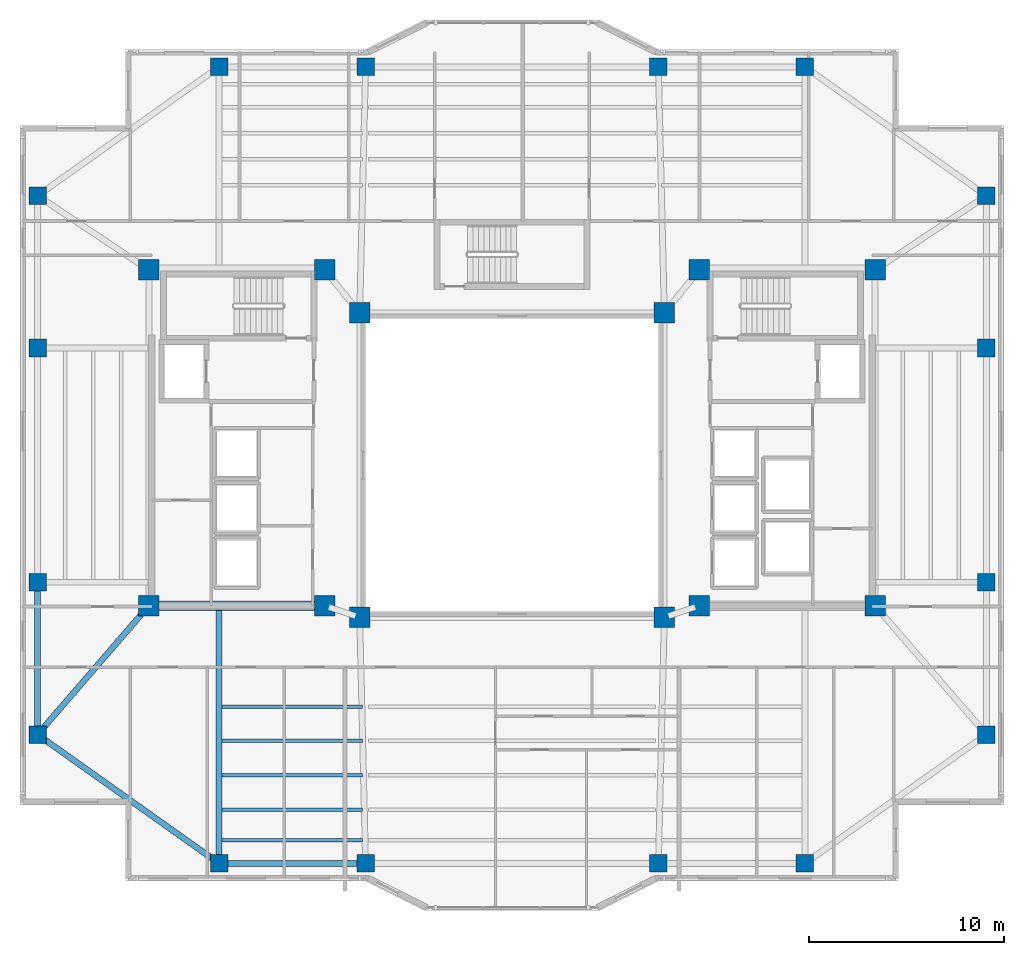
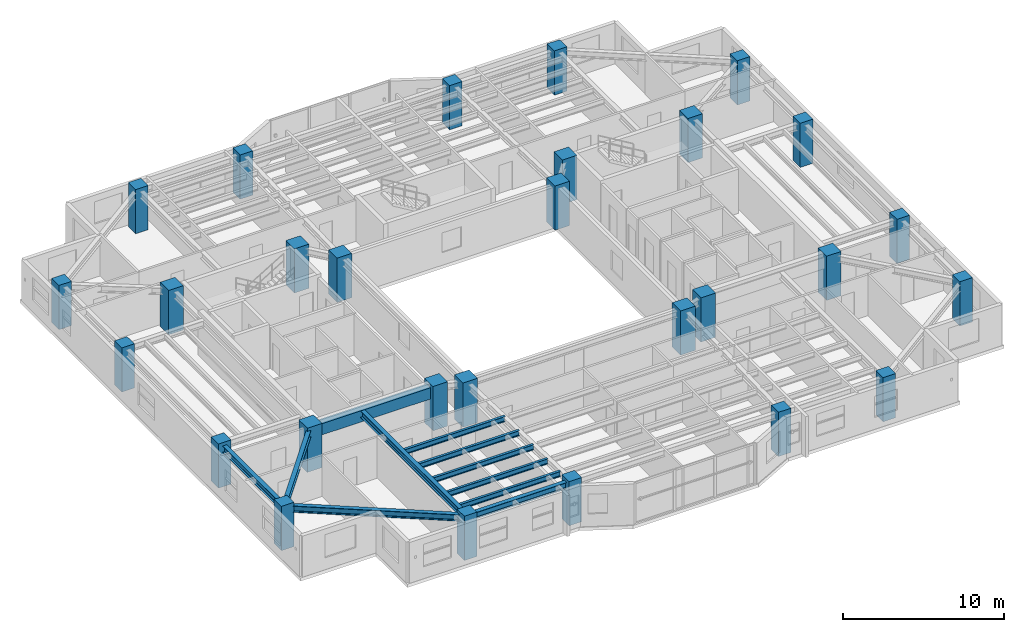
# One storey, part 1 of 15: 28 columns, 11 beams.
"""IFC4 building model written with IfcOpenShell, lengths in metres."""

from ifc_helpers import new_model, si_unit, direction, frame, origin, origin_2d, place, context, subcontext, project, spatial, rectangle, i_section, extrude, material, material_profile, profile_set, type_object, element, save


model = new_model("IFC4")

# Units and contexts
model_context = context("Model", 3, precision=1e-05, world=origin(), true_north=direction((0.0, 1.0)))
body_context = subcontext(model_context, "Body", "Model", "MODEL_VIEW")
ifc_project = project(units=[si_unit("LENGTHUNIT", "METRE"), si_unit("AREAUNIT", "SQUARE_METRE"), si_unit("VOLUMEUNIT", "CUBIC_METRE"), si_unit("PLANEANGLEUNIT", "RADIAN"), si_unit("MASSUNIT", "GRAM", prefix="KILO")], contexts=[model_context])

# Site, building, storey
site_placement = place(None, origin())
site = spatial("IfcSite", under=ifc_project, at=site_placement, CompositionType="ELEMENT")
building_placement = place(site_placement, origin())
building = spatial("IfcBuilding", under=site, at=building_placement, Name="Tarnavaz Court Tower", CompositionType="ELEMENT")
storey_placement = place(building_placement, frame((0.0, 0.0, 142.64990234375)))
storey = spatial("IfcBuildingStorey", under=building, at=storey_placement, Name="L38", CompositionType="ELEMENT", Elevation=142.64990234375)

# Columns
ifc_material_1 = material(Name="Concrete C60/75", Category="concrete")
ifc_material_profile_1 = material_profile(ifc_material_1, rectangle(XDim=1.050048828125, YDim=1.050048828125, at=origin_2d()), Name="RC 1050X1050")
ifc_profile_set_1 = profile_set([ifc_material_profile_1], Name="Concrete C60/75")
column_type_1 = type_object("IfcColumnType", Name="CL-RC1050", PredefinedType="COLUMN", material=ifc_profile_set_1)
for number, where, z_axis, x_axis, name in (
    (1, (-7.800048828125, -7.800048828125, 0.0), (0.0, 0.0, 1.0), (1.0, 0.0, 0.0), "L38 Column IW-SW"),
    (2, (7.800048828125, -7.800048828125, 0.0), (0.0, 0.0, 1.0), (1.0, 0.0, 0.0), "L38 Column IW-SE"),
    (3, (-7.800048828125, 7.800048828125, 0.0), (0.0, 0.0, 1.0), (1.0, 0.0, 0.0), "L38 Column IW-NW"),
    (4, (7.800048828125, 7.800048828125, 0.0), (0.0, 0.0, 1.0), (1.0, 0.0, 0.0), "L38 Column IW-NE"),
    (5, (-9.60009765625, -7.199951171875, 0.0), (0.0, 0.0, 1.0), (1.0, 0.0, 0.0), "L38 Column CW-SI"),
    (6, (-9.60009765625, 10.0, 0.0), (0.0, 0.0, 1.0), (1.0, 0.0, 0.0), "L38 Column CW-NI"),
    (7, (9.60009765625, -7.199951171875, 0.0), (0.0, 0.0, 1.0), (1.0, 0.0, 0.0), "L38 Column CE-SI"),
    (8, (9.60009765625, 10.0, 0.0), (0.0, 0.0, 1.0), (1.0, 0.0, 0.0), "L38 Column CE-NI"),
    (9, (-18.60009765625, -7.199951171875, 0.0), (0.0, 0.0, 1.0), (1.0, 0.0, 0.0), "L38 Column CW-SO"),
    (10, (-18.60009765625, 10.0, 0.0), (0.0, 0.0, 1.0), (1.0, 0.0, 0.0), "L38 Column CW-NO"),
    (11, (18.60009765625, -7.199951171875, 0.0), (0.0, 0.0, 1.0), (1.0, 0.0, 0.0), "L38 Column CE-SO"),
    (12, (18.60009765625, 10.0, 0.0), (0.0, 0.0, 1.0), (1.0, 0.0, 0.0), "L38 Column CE-NO"),
):
    element("IfcColumn", number, at=place(storey_placement, frame(where, z_axis=z_axis, x_axis=x_axis)), inside=storey, type_object=column_type_1, Name=name, PredefinedType="COLUMN", context=body_context, shape_type="SweptSolid", body=[
        extrude(rectangle(XDim=1.050048828125, YDim=1.050048828125, at=origin_2d()), origin(), (0.0, 0.0, 1.0), 3.35009765625),
    ])
ifc_material_2 = material(Name="Concrete C50/60", Category="concrete")
ifc_material_profile_2 = material_profile(ifc_material_2, rectangle(XDim=0.89990234375, YDim=0.89990234375, at=origin_2d()), Name="RC 900X900")
ifc_profile_set_2 = profile_set([ifc_material_profile_2], Name="Concrete C50/60")
column_type_2 = type_object("IfcColumnType", Name="CL-RC900", PredefinedType="COLUMN", material=ifc_profile_set_2)
for number, where, z_axis, x_axis, name in (
    (13, (-15.0, 20.39990234375, 0.0), (0.0, 0.0, 1.0), (1.0, 0.0, 0.0), "L38 Column PN-1"),
    (14, (-7.5, 20.39990234375, 0.0), (0.0, 0.0, 1.0), (1.0, 0.0, 0.0), "L38 Column PN-2"),
    (15, (7.5, 20.39990234375, 0.0), (0.0, 0.0, 1.0), (1.0, 0.0, 0.0), "L38 Column PN-3"),
    (16, (15.0, 20.39990234375, 0.0), (0.0, 0.0, 1.0), (1.0, 0.0, 0.0), "L38 Column PN-4"),
    (17, (-15.0, -20.39990234375, 0.0), (0.0, 0.0, 1.0), (1.0, 0.0, 0.0), "L38 Column PS-1"),
    (18, (-7.5, -20.39990234375, 0.0), (0.0, 0.0, 1.0), (1.0, 0.0, 0.0), "L38 Column PS-2"),
    (19, (7.5, -20.39990234375, 0.0), (0.0, 0.0, 1.0), (1.0, 0.0, 0.0), "L38 Column PS-3"),
    (20, (15.0, -20.39990234375, 0.0), (0.0, 0.0, 1.0), (1.0, 0.0, 0.0), "L38 Column PS-4"),
    (21, (24.300048828125, -13.800048828125, 0.0), (0.0, 0.0, 1.0), (1.0, 0.0, 0.0), "L38 Column PE-1"),
    (22, (24.300048828125, -6.0, 0.0), (0.0, 0.0, 1.0), (1.0, 0.0, 0.0), "L38 Column PE-2"),
    (23, (24.300048828125, 6.0, 0.0), (0.0, 0.0, 1.0), (1.0, 0.0, 0.0), "L38 Column PE-3"),
    (24, (24.300048828125, 13.800048828125, 0.0), (0.0, 0.0, 1.0), (1.0, 0.0, 0.0), "L38 Column PE-4"),
    (25, (-24.300048828125, -13.800048828125, 0.0), (0.0, 0.0, 1.0), (1.0, 0.0, 0.0), "L38 Column PW-1"),
    (26, (-24.300048828125, -6.0, 0.0), (0.0, 0.0, 1.0), (1.0, 0.0, 0.0), "L38 Column PW-2"),
    (27, (-24.300048828125, 6.0, 0.0), (0.0, 0.0, 1.0), (1.0, 0.0, 0.0), "L38 Column PW-3"),
    (28, (-24.300048828125, 13.800048828125, 0.0), (0.0, 0.0, 1.0), (1.0, 0.0, 0.0), "L38 Column PW-4"),
):
    element("IfcColumn", number, at=place(storey_placement, frame(where, z_axis=z_axis, x_axis=x_axis)), inside=storey, type_object=column_type_2, Name=name, PredefinedType="COLUMN", context=body_context, shape_type="SweptSolid", body=[
        extrude(rectangle(XDim=0.89990234375, YDim=0.89990234375, at=origin_2d()), origin(), (0.0, 0.0, 1.0), 3.35009765625),
    ])

# Beams
ifc_material_profile_3 = material_profile(ifc_material_2, rectangle(XDim=0.5, YDim=0.85009765625, at=origin_2d()), Name="RC 500X850")
ifc_profile_set_3 = profile_set([ifc_material_profile_3], Name="Concrete C50/60")
beam_type_1 = type_object("IfcBeamType", Name="BM-CB850", PredefinedType="LINTEL", material=ifc_profile_set_3)
beam_1_placement = place(storey_placement, frame((-18.3798828125, -7.199951171875, 2.675048828125), z_axis=(1.0, 0.0, 0.0), x_axis=(0.0, 1.0, 0.0)))
element("IfcBeam", 29, at=beam_1_placement, inside=storey, type_object=beam_type_1, Name="L38 Beam IN-CW-SO-CW-SI", PredefinedType="LINTEL", context=body_context, shape_type="SweptSolid", body=[
    extrude(rectangle(XDim=0.5, YDim=0.85009765625, at=origin_2d()), origin(), (0.0, 0.0, 1.0), 8.559814453125),
])
ifc_material_3 = material(Name="Steel S355", Category="steel")
ifc_material_profile_4 = material_profile(ifc_material_3, i_section(OverallWidth=0.300048828125, OverallDepth=0.5, WebThickness=0.014404296875, FlangeThickness=0.028076171875, FilletRadius=0.027099609375, at=origin_2d()), Name="HEB 500")
ifc_profile_set_4 = profile_set([ifc_material_profile_4], Name="Steel S355")
beam_type_2 = type_object("IfcBeamType", Name="BM-G-HEB500", PredefinedType="USERDEFINED", material=ifc_profile_set_4)
beam_2_placement = place(storey_placement, frame((-15.0, -7.239990234375, 2.85009765625), z_axis=(0.0, -1.0, 0.0), x_axis=(1.0, 0.0, 0.0)))
element("IfcBeam", 30, at=beam_2_placement, inside=storey, type_object=beam_type_2, Name="L38 Beam RG-05", ObjectType="GIRDER", PredefinedType="USERDEFINED", context=body_context, shape_type="SweptSolid", body=[
    extrude(i_section(OverallWidth=0.300048828125, OverallDepth=0.5, WebThickness=0.014404296875, FlangeThickness=0.028076171875, FilletRadius=0.027099609375, at=origin_2d()), origin(), (0.0, 0.0, 1.0), 12.93994140625),
])
beam_3_placement = place(storey_placement, frame((-18.743896484375, -7.366455078125, 2.85009765625), z_axis=(-0.653610659012, -0.756830962914, 0.0), x_axis=(0.756830962914, -0.653610659012, 0.0)))
element("IfcBeam", 31, at=beam_3_placement, inside=storey, type_object=beam_type_2, Name="L38 Beam RG-15", ObjectType="GIRDER", PredefinedType="USERDEFINED", context=body_context, shape_type="SweptSolid", body=[
    extrude(i_section(OverallWidth=0.300048828125, OverallDepth=0.5, WebThickness=0.014404296875, FlangeThickness=0.028076171875, FilletRadius=0.027099609375, at=origin_2d()), origin(), (0.0, 0.0, 1.0), 8.28076171875),
])
ifc_material_profile_5 = material_profile(ifc_material_3, i_section(OverallWidth=0.179931640625, OverallDepth=0.39990234375, WebThickness=0.008544921875, FlangeThickness=0.013427734375, FilletRadius=0.02099609375, at=origin_2d()), Name="IPE 400")
ifc_profile_set_5 = profile_set([ifc_material_profile_5], Name="Steel S355")
beam_type_3 = type_object("IfcBeamType", Name="BM-J-IPE400", PredefinedType="JOIST", material=ifc_profile_set_5)
for number, where, z_axis, x_axis, name in (
    (32, (-14.85009765625, -12.364013671875, 2.900146484375), (1.0, 0.0, 0.0), (0.0, 1.0, 0.0), "L38 Beam JS1-1"),
    (33, (-14.85009765625, -14.1279296875, 2.900146484375), (1.0, 0.0, 0.0), (0.0, 1.0, 0.0), "L38 Beam JS2-1"),
    (34, (-14.85009765625, -15.89208984375, 2.900146484375), (1.0, 0.0, 0.0), (0.0, 1.0, 0.0), "L38 Beam JS3-1"),
    (35, (-14.85009765625, -17.656005859375, 2.900146484375), (1.0, 0.0, 0.0), (0.0, 1.0, 0.0), "L38 Beam JS4-1"),
    (36, (-14.85009765625, -19.22412109375, 2.900146484375), (1.0, 0.0, 0.0), (0.0, 1.0, 0.0), "L38 Beam JS5-1"),
):
    element("IfcBeam", number, at=place(storey_placement, frame(where, z_axis=z_axis, x_axis=x_axis)), inside=storey, type_object=beam_type_3, Name=name, PredefinedType="JOIST", context=body_context, shape_type="SweptSolid", body=[
        extrude(i_section(OverallWidth=0.179931640625, OverallDepth=0.39990234375, WebThickness=0.008544921875, FlangeThickness=0.013427734375, FilletRadius=0.02099609375, at=origin_2d()), origin(), (0.0, 0.0, 1.0), 7.2001953125),
    ])
ifc_material_profile_6 = material_profile(ifc_material_3, i_section(OverallWidth=0.300048828125, OverallDepth=0.489990234375, WebThickness=0.011962890625, FlangeThickness=0.02294921875, FilletRadius=0.027099609375, at=origin_2d()), Name="HEA 500")
ifc_profile_set_6 = profile_set([ifc_material_profile_6], Name="Steel S355")
beam_type_4 = type_object("IfcBeamType", Name="BM-SP-HEA500", PredefinedType="SPANDREL", material=ifc_profile_set_6)
beam_4_placement = place(storey_placement, frame((-14.780029296875, -20.39990234375, 2.85498046875), z_axis=(1.0, 0.0, 0.0), x_axis=(0.0, 1.0, 0.0)))
element("IfcBeam", 37, at=beam_4_placement, inside=storey, type_object=beam_type_4, Name="L38 Beam PR-PS-1-PS-2", PredefinedType="SPANDREL", context=body_context, shape_type="SweptSolid", body=[
    extrude(i_section(OverallWidth=0.300048828125, OverallDepth=0.489990234375, WebThickness=0.011962890625, FlangeThickness=0.02294921875, FilletRadius=0.027099609375, at=origin_2d()), origin(), (0.0, 0.0, 1.0), 7.06005859375),
])
beam_5_placement = place(storey_placement, frame((-24.300048828125, -13.580078125, 2.85498046875), z_axis=(0.0, 1.0, 0.0), x_axis=(-1.0, 0.0, 0.0)))
element("IfcBeam", 38, at=beam_5_placement, inside=storey, type_object=beam_type_4, Name="L38 Beam PR-PW-1-PW-2", PredefinedType="SPANDREL", context=body_context, shape_type="SweptSolid", body=[
    extrude(i_section(OverallWidth=0.300048828125, OverallDepth=0.489990234375, WebThickness=0.011962890625, FlangeThickness=0.02294921875, FilletRadius=0.027099609375, at=origin_2d()), origin(), (0.0, 0.0, 1.0), 7.360107421875),
])
beam_6_placement = place(storey_placement, frame((-15.179443359375, -20.272705078125, 2.85498046875), z_axis=(-0.815502059396, 0.57875417158, 0.0), x_axis=(-0.57875417158, -0.815502059396, 0.0)))
element("IfcBeam", 39, at=beam_6_placement, inside=storey, type_object=beam_type_4, Name="L38 Beam PR-PS-1-PW-1", PredefinedType="SPANDREL", context=body_context, shape_type="SweptSolid", body=[
    extrude(i_section(OverallWidth=0.300048828125, OverallDepth=0.489990234375, WebThickness=0.011962890625, FlangeThickness=0.02294921875, FilletRadius=0.027099609375, at=origin_2d()), origin(), (0.0, 0.0, 1.0), 10.964111328125),
])

save(model, "model.ifc")
